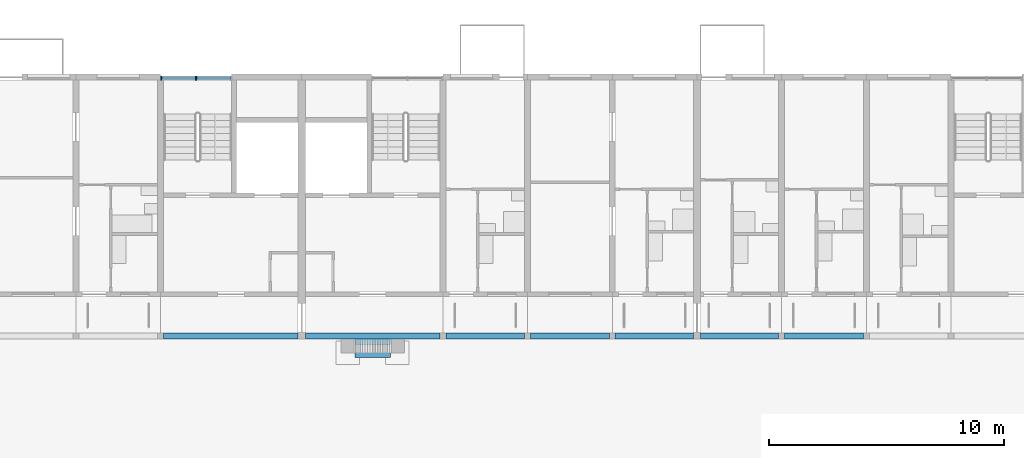
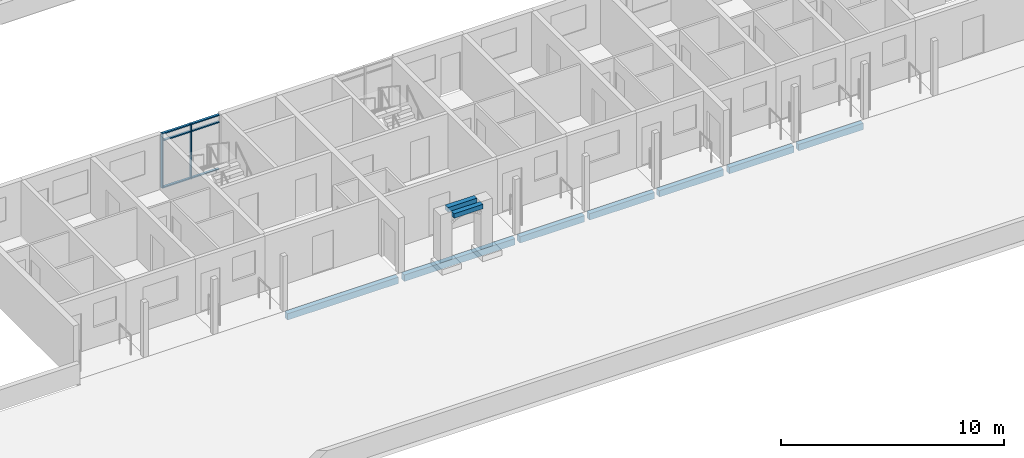
# One storey, part 20 of 115: 9 beams, 8 members, 1 element without a shape of its own.
"""IFC4 building model written with IfcOpenShell, lengths in metres."""

import ifcopenshell
import ifcopenshell.guid

model = None  # the IFC model being written
_history = None  # IfcOwnerHistory: only IFC2X3 demands one
_inside = {}  # id of a spatial element -> (the spatial element, [elements in it])
_under = {}  # id of a project, library or spatial element -> (it, [spatial elements below it])
_declared = {}  # id of a project -> (the project, [libraries it declares])
_typed = {}  # id of a type object -> (the type object, [elements of that type])
_made_of = {}  # id of a material, layer set ... -> (it, [elements and type objects made of it])


def new_model(schema):
    """Start an empty IFC model of exactly this schema.

    Asked for "IFC4X3", IfcOpenShell would pick the latest addendum, in which some entities
    have other attributes; the version numbers below select the first issue.
    IFC2X3 requires an IfcOwnerHistory on every rooted entity: one is made here for all.
    """
    global model, _history
    if schema == "IFC4X3":
        model = ifcopenshell.file(schema_version=(4, 3, 0, 0))
    else:
        model = ifcopenshell.file(schema=schema)
    _inside.clear()
    _under.clear()
    _declared.clear()
    _typed.clear()
    _made_of.clear()
    _history = None
    if model.schema == "IFC2X3":
        org = make("IfcOrganization", Name="unknown")
        user = make(
            "IfcPersonAndOrganization",
            ThePerson=make("IfcPerson", FamilyName="unknown"),
            TheOrganization=org,
        )
        app = make(
            "IfcApplication",
            ApplicationDeveloper=org,
            Version="unknown",
            ApplicationFullName="unknown",
            ApplicationIdentifier="unknown",
        )
        _history = make(
            "IfcOwnerHistory",
            OwningUser=user,
            OwningApplication=app,
            ChangeAction="ADDED",
            CreationDate=0,
        )
    return model


def make(cls, **values):
    """One entity of the class cls with the attributes given. An attribute that is None is left unset."""
    return model.create_entity(
        cls, **{name: value for name, value in values.items() if value is not None}
    )


def rooted(cls, **values):
    """An entity with a GlobalId (a new one), such as an element, a storey or a relation."""
    return make(cls, GlobalId=ifcopenshell.guid.new(), OwnerHistory=_history, **values)


def si_unit(unit_type, name, prefix=None):
    """IfcSIUnit, for example si_unit("LENGTHUNIT", "METRE", prefix="MILLI")."""
    return make("IfcSIUnit", UnitType=unit_type, Prefix=prefix, Name=name)


def assignment(units):
    """IfcUnitAssignment: the units of a project."""
    return None if units is None else make("IfcUnitAssignment", Units=units)


def point(xyz):
    """IfcCartesianPoint."""
    return None if xyz is None else make("IfcCartesianPoint", Coordinates=xyz)


def direction(xyz):
    """IfcDirection."""
    return None if xyz is None else make("IfcDirection", DirectionRatios=xyz)


def frame(location, z_axis=None, x_axis=None):
    """IfcAxis2Placement3D, a coordinate frame: its origin and axes. An axis left out is left unset."""
    return make(
        "IfcAxis2Placement3D",
        Location=point(location),
        Axis=direction(z_axis),
        RefDirection=direction(x_axis),
    )


def frame_2d(location, x_axis=None):
    """IfcAxis2Placement2D, a coordinate frame in the plane: its origin and x axis."""
    return make(
        "IfcAxis2Placement2D", Location=point(location), RefDirection=direction(x_axis)
    )


def origin():
    """The frame at (0, 0, 0) with its axes left unset."""
    return frame((0.0, 0.0, 0.0))


def origin_2d():
    """The frame at (0, 0) in the plane with its x axis left unset."""
    return frame_2d((0.0, 0.0))


def place(relative_to, where):
    """IfcLocalPlacement: puts the frame where relative to a parent placement (None: the world)."""
    return make(
        "IfcLocalPlacement", PlacementRelTo=relative_to, RelativePlacement=where
    )


def context(
    kind, dimensions, precision=None, world=None, true_north=None, identifier=None
):
    """IfcGeometricRepresentationContext, for example the 3D "Model" context."""
    return make(
        "IfcGeometricRepresentationContext",
        ContextIdentifier=identifier,
        ContextType=kind,
        CoordinateSpaceDimension=dimensions,
        Precision=precision,
        WorldCoordinateSystem=world,
        TrueNorth=true_north,
    )


def subcontext(parent, identifier, kind, view, scale=None):
    """IfcGeometricRepresentationSubContext, for example "Body" below "Model"."""
    return make(
        "IfcGeometricRepresentationSubContext",
        ContextIdentifier=identifier,
        ContextType=kind,
        ParentContext=parent,
        TargetScale=scale,
        TargetView=view,
    )


def project(units=None, contexts=None):
    """IfcProject with its units and contexts."""
    return rooted(
        "IfcProject",
        Name="project",
        RepresentationContexts=contexts,
        UnitsInContext=assignment(units),
    )


def spatial(cls, under=None, at=None, **own):
    """A site, building, storey or space (cls), placed at a placement, below another one or the project."""
    s = rooted(cls, ObjectPlacement=at, **own)
    if under is not None:
        _under.setdefault(under.id(), (under, []))[1].append(s)
    return s


def profile(cls, at=None, kind="AREA", **sizes):
    """A parametric profile (cls). Its sizes go by their IFC names, for example OverallWidth=200.0."""
    return make(cls, ProfileType=kind, Position=at, **sizes)


def rectangle(**sizes):
    """IfcRectangleProfileDef."""
    return profile("IfcRectangleProfileDef", **sizes)


def extrude(swept, where, along, depth):
    """IfcExtrudedAreaSolid: the profile swept, set in the frame where, extruded along a direction by depth."""
    return make(
        "IfcExtrudedAreaSolid",
        SweptArea=swept,
        Position=where,
        ExtrudedDirection=direction(along),
        Depth=depth,
    )


def shape(context_of_items, identifier, shape_type, items):
    """IfcShapeRepresentation: the items that make up one representation, for example the "Body"."""
    return make(
        "IfcShapeRepresentation",
        ContextOfItems=context_of_items,
        RepresentationIdentifier=identifier,
        RepresentationType=shape_type,
        Items=items,
    )


def material(Name=None, Category=None):
    """IfcMaterial."""
    return make("IfcMaterial", Name=Name, Category=Category)


def material_profile(
    of_material, cross_section, Name=None, Category=None, Priority=None
):
    """IfcMaterialProfile: a cross section and its material."""
    return make(
        "IfcMaterialProfile",
        Name=Name,
        Material=of_material,
        Profile=cross_section,
        Priority=Priority,
        Category=Category,
    )


def profile_set(profiles, Name=None, composite=None):
    """IfcMaterialProfileSet."""
    return make(
        "IfcMaterialProfileSet",
        Name=Name,
        MaterialProfiles=profiles,
        CompositeProfile=composite,
    )


def made_of(thing, what):
    """Note that an element or type object is made of a material, layer set ...; save() writes the relation."""
    if what is not None:
        _made_of.setdefault(what.id(), (what, []))[1].append(thing)
    return thing


def type_object(cls, material=None, **own):
    """A type object (cls), such as IfcWallType, which elements share."""
    return made_of(rooted(cls, **own), material)


def element(
    cls,
    number,
    at=None,
    inside=None,
    cuts=None,
    type_object=None,
    material=None,
    context=None,
    identifier="Body",
    shape_type=None,
    held_by="IfcProductDefinitionShape",
    body=None,
    shapes=None,
    **own,
):
    """One element of the class cls, such as IfcWall. Its Tag is "e" and its number.

    at: its placement. inside: the storey or other place that contains it. cuts: it is an
    opening in that element (IfcRelVoidsElement). A single representation is given by context,
    identifier, shape_type and body (its items); several are given by shapes. held_by: the class
    of the entity that holds the representations. save() writes the other relations.
    """
    e = rooted(cls, Tag="e%d" % number, ObjectPlacement=at, **own)
    if body is not None:
        shapes = [shape(context, identifier, shape_type, body)]
    if shapes is not None:
        e.Representation = make(held_by, Representations=shapes)
    if inside is not None:
        _inside.setdefault(inside.id(), (inside, []))[1].append(e)
    if cuts is not None:
        rooted(
            "IfcRelVoidsElement", RelatingBuildingElement=cuts, RelatedOpeningElement=e
        )
    if type_object is not None:
        _typed.setdefault(type_object.id(), (type_object, []))[1].append(e)
    return made_of(e, material)


def aggregate(whole, parts):
    """IfcRelAggregates: a whole, such as a stair, and the parts it consists of."""
    return rooted("IfcRelAggregates", RelatingObject=whole, RelatedObjects=parts)


def save(model, path):
    """Write the relations noted so far, then the file.

    IfcRelAggregates (storeys below a building ...), IfcRelContainedInSpatialStructure (elements
    in a storey), IfcRelDefinesByType, IfcRelAssociatesMaterial and IfcRelDeclares: one each for
    every whole, place, type object, material and project.
    """
    for whole, parts in _under.values():
        aggregate(whole, parts)
    for where, things in _inside.values():
        rooted(
            "IfcRelContainedInSpatialStructure",
            RelatedElements=things,
            RelatingStructure=where,
        )
    for kind, things in _typed.values():
        rooted("IfcRelDefinesByType", RelatedObjects=things, RelatingType=kind)
    for what, things in _made_of.values():
        rooted("IfcRelAssociatesMaterial", RelatedObjects=things, RelatingMaterial=what)
    for by, libraries in _declared.values():
        rooted("IfcRelDeclares", RelatingContext=by, RelatedDefinitions=libraries)
    model.write(path)


model = new_model("IFC4")

# Units and contexts
model_context = context("Model", 3, precision=1e-05, world=origin(), true_north=direction((0.0, 1.0)))
body_context = subcontext(model_context, "Body", "Model", "MODEL_VIEW")
ifc_project = project(units=[si_unit("LENGTHUNIT", "METRE"), si_unit("AREAUNIT", "SQUARE_METRE"), si_unit("VOLUMEUNIT", "CUBIC_METRE"), si_unit("PLANEANGLEUNIT", "RADIAN"), si_unit("MASSUNIT", "GRAM", prefix="KILO")], contexts=[model_context])

# Site, building, storey
site_placement = place(None, origin())
site = spatial("IfcSite", under=ifc_project, at=site_placement, CompositionType="ELEMENT")
building_placement = place(site_placement, origin())
building = spatial("IfcBuilding", under=site, at=building_placement, Name="Ridgestep Commons", CompositionType="ELEMENT")
storey_placement = place(building_placement, frame((0.0, 0.0, 6.0)))
storey = spatial("IfcBuildingStorey", under=building, at=storey_placement, Name="L02", CompositionType="ELEMENT", Elevation=6.0)

# Beams
ifc_material_1 = material(Name="Precast concrete C40/50", Category="concrete")
ifc_material_profile_1 = material_profile(ifc_material_1, rectangle(XDim=0.25, YDim=0.35009765625, at=origin_2d()), Name="PC 250x350")
ifc_profile_set_1 = profile_set([ifc_material_profile_1], Name="Precast concrete C40/50")
beam_type_1 = type_object("IfcBeamType", Name="Loggia edge beam 250 x 350", PredefinedType="SPANDREL", material=ifc_profile_set_1)
beam_1_placement = place(storey_placement, frame((157.72509765625, 11.875, -0.375), z_axis=(1.0, 0.0, 0.0), x_axis=(0.0, 1.0, 0.0)))
element("IfcBeam", 1, at=beam_1_placement, inside=storey, type_object=beam_type_1, Name="Loggia edge beam D1C L02", PredefinedType="SPANDREL", context=body_context, shape_type="SweptSolid", body=[
    extrude(rectangle(XDim=0.25, YDim=0.35009765625, at=origin_2d()), origin(), (0.0, 0.0, 1.0), 5.724853515625),
])
beam_2_placement = place(storey_placement, frame((163.75, 11.875, -0.375), z_axis=(1.0, 0.0, 0.0), x_axis=(0.0, 1.0, 0.0)))
element("IfcBeam", 2, at=beam_2_placement, inside=storey, type_object=beam_type_1, Name="Loggia edge beam D2C L02", PredefinedType="SPANDREL", context=body_context, shape_type="SweptSolid", body=[
    extrude(rectangle(XDim=0.25, YDim=0.35009765625, at=origin_2d()), origin(), (0.0, 0.0, 1.0), 5.72509765625),
])
beam_3_placement = place(storey_placement, frame((169.72509765625, 11.875, -0.375), z_axis=(1.0, 0.0, 0.0), x_axis=(0.0, 1.0, 0.0)))
element("IfcBeam", 3, at=beam_3_placement, inside=storey, type_object=beam_type_1, Name="Loggia edge beam D2T3 L02", PredefinedType="SPANDREL", context=body_context, shape_type="SweptSolid", body=[
    extrude(rectangle(XDim=0.25, YDim=0.35009765625, at=origin_2d()), origin(), (0.0, 0.0, 1.0), 3.349853515625),
])
beam_4_placement = place(storey_placement, frame((173.324951171875, 11.875, -0.375), z_axis=(1.0, 0.0, 0.0), x_axis=(0.0, 1.0, 0.0)))
element("IfcBeam", 4, at=beam_4_placement, inside=storey, type_object=beam_type_1, Name="Loggia edge beam D2T2 L02", PredefinedType="SPANDREL", context=body_context, shape_type="SweptSolid", body=[
    extrude(rectangle(XDim=0.25, YDim=0.35009765625, at=origin_2d()), origin(), (0.0, 0.0, 1.0), 3.35009765625),
])
for number, where, z_axis, x_axis, name in (
    (5, (176.925048828125, 11.875, -0.375), (1.0, 0.0, 0.0), (0.0, 1.0, 0.0), "Loggia edge beam D2T1 L02"),
    (6, (180.550048828125, 11.875, -0.375), (1.0, 0.0, 0.0), (0.0, 1.0, 0.0), "Loggia edge beam D3T1 L02"),
):
    element("IfcBeam", number, at=place(storey_placement, frame(where, z_axis=z_axis, x_axis=x_axis)), inside=storey, type_object=beam_type_1, Name=name, PredefinedType="SPANDREL", context=body_context, shape_type="SweptSolid", body=[
        extrude(rectangle(XDim=0.25, YDim=0.35009765625, at=origin_2d()), origin(), (0.0, 0.0, 1.0), 3.324951171875),
    ])
beam_5_placement = place(storey_placement, frame((184.125, 11.875, -0.375), z_axis=(1.0, 0.0, 0.0), x_axis=(0.0, 1.0, 0.0)))
element("IfcBeam", 7, at=beam_5_placement, inside=storey, type_object=beam_type_1, Name="Loggia edge beam D3T2 L02", PredefinedType="SPANDREL", context=body_context, shape_type="SweptSolid", body=[
    extrude(rectangle(XDim=0.25, YDim=0.35009765625, at=origin_2d()), origin(), (0.0, 0.0, 1.0), 3.35009765625),
])

# Curtain wall, members
ifc_material_2 = material(Name="Aluminium 6063-T6 and glass", Category="aluminium")
curtain_wall_type = type_object("IfcCurtainWallType", Name="Curtain wall stair strip", PredefinedType="NOTDEFINED", material=ifc_material_2)
curtain_wall_placement = place(storey_placement, origin())
curtain_wall = element("IfcCurtainWall", 8, at=curtain_wall_placement, inside=storey, type_object=curtain_wall_type, Name="Curtain wall D1C level 02", PredefinedType="NOTDEFINED")
ifc_material_3 = material(Name="Aluminium 6063-T6", Category="aluminium")
ifc_material_profile_2 = material_profile(ifc_material_3, rectangle(XDim=0.159912109375, YDim=0.06005859375, at=origin_2d()), Name="Mullion 60 x 160")
ifc_profile_set_2 = profile_set([ifc_material_profile_2], Name="Aluminium 6063-T6")
member_type_1 = type_object("IfcMemberType", Name="Mullion 60 x 160", PredefinedType="MULLION", material=ifc_profile_set_2)
member_1_placement = place(storey_placement, frame((157.6298828125, 22.830078125, 0.0), z_axis=(0.0, 0.0, 1.0), x_axis=(0.0, 1.0, 0.0)))
member_1 = element("IfcMember", 9, at=member_1_placement, type_object=member_type_1, Name="CW1 mullion 1", PredefinedType="MULLION", context=body_context, shape_type="SweptSolid", body=[
    extrude(rectangle(XDim=0.159912109375, YDim=0.06005859375, at=origin_2d()), origin(), (0.0, 0.0, 1.0), 3.0),
])
member_2_placement = place(storey_placement, frame((159.112548828125, 22.830078125, 0.0), z_axis=(0.0, 0.0, 1.0), x_axis=(0.0, 1.0, 0.0)))
member_2 = element("IfcMember", 10, at=member_2_placement, type_object=member_type_1, Name="CW1 mullion 2", PredefinedType="MULLION", context=body_context, shape_type="SweptSolid", body=[
    extrude(rectangle(XDim=0.159912109375, YDim=0.06005859375, at=origin_2d()), origin(), (0.0, 0.0, 1.0), 3.0),
])

# Beams
ifc_material_4 = material(Name="Precast concrete C40/50", Category="concrete")
ifc_material_profile_3 = material_profile(ifc_material_4, rectangle(XDim=0.25, YDim=0.25, at=origin_2d()), Name="Portal lintel 250 x 250")
ifc_profile_set_3 = profile_set([ifc_material_profile_3], Name="Precast concrete C40/50")
beam_type_2 = type_object("IfcBeamType", Name="Portal lintel 250 x 250", PredefinedType="BEAM", material=ifc_profile_set_3)
for number, where, z_axis, x_axis, name in (
    (11, (165.862548828125, 11.074951171875, 2.77490234375), (1.0, 0.0, 0.0), (0.0, 1.0, 0.0), "Portal lintel D1"),
    (12, (165.862548828125, 11.625, 2.77490234375), (1.0, 0.0, 0.0), (0.0, 1.0, 0.0), "Portal lintel D2"),
):
    element("IfcBeam", number, at=place(storey_placement, frame(where, z_axis=z_axis, x_axis=x_axis)), inside=storey, type_object=beam_type_2, Name=name, PredefinedType="BEAM", context=body_context, shape_type="SweptSolid", body=[
        extrude(rectangle(XDim=0.25, YDim=0.25, at=origin_2d()), origin(), (0.0, 0.0, 1.0), 1.5),
    ])

# Member
ifc_material_5 = material(Name="Aluminium 6063-T6", Category="aluminium")
ifc_material_profile_4 = material_profile(ifc_material_5, rectangle(XDim=0.1201171875, YDim=0.06005859375, at=origin_2d()), Name="Transom 60 x 120")
ifc_profile_set_4 = profile_set([ifc_material_profile_4], Name="Aluminium 6063-T6")
member_type_2 = type_object("IfcMemberType", Name="Transom 60 x 120", PredefinedType="USERDEFINED", material=ifc_profile_set_4)
member_3_placement = place(storey_placement, frame((157.659912109375, 22.830078125, 0.030029296875), z_axis=(1.0, 0.0, 0.0), x_axis=(0.0, 1.0, 0.0)))
member_3 = element("IfcMember", 13, at=member_3_placement, type_object=member_type_2, Name="CW1 transom 1.1", ObjectType="TRANSOM", PredefinedType="USERDEFINED", context=body_context, shape_type="SweptSolid", body=[
    extrude(rectangle(XDim=0.1201171875, YDim=0.06005859375, at=origin_2d()), origin(), (0.0, 0.0, 1.0), 1.422607421875),
])

member_4_placement = place(storey_placement, frame((157.659912109375, 22.830078125, 2.590087890625), z_axis=(1.0, 0.0, 0.0), x_axis=(0.0, 1.0, 0.0)))
member_4 = element("IfcMember", 14, at=member_4_placement, type_object=member_type_2, Name="CW1 transom 1.2", ObjectType="TRANSOM", PredefinedType="USERDEFINED", context=body_context, shape_type="SweptSolid", body=[
    extrude(rectangle(XDim=0.1201171875, YDim=0.06005859375, at=origin_2d()), origin(), (0.0, 0.0, 1.0), 1.422607421875),
])

member_5_placement = place(storey_placement, frame((157.659912109375, 22.830078125, 2.969970703125), z_axis=(1.0, 0.0, 0.0), x_axis=(0.0, 1.0, 0.0)))
member_5 = element("IfcMember", 15, at=member_5_placement, type_object=member_type_2, Name="CW1 transom 1.3", ObjectType="TRANSOM", PredefinedType="USERDEFINED", context=body_context, shape_type="SweptSolid", body=[
    extrude(rectangle(XDim=0.1201171875, YDim=0.06005859375, at=origin_2d()), origin(), (0.0, 0.0, 1.0), 1.422607421875),
])

member_6_placement = place(storey_placement, frame((159.142578125, 22.830078125, 0.030029296875), z_axis=(1.0, 0.0, 0.0), x_axis=(0.0, 1.0, 0.0)))
member_6 = element("IfcMember", 16, at=member_6_placement, type_object=member_type_2, Name="CW1 transom 2.1", ObjectType="TRANSOM", PredefinedType="USERDEFINED", context=body_context, shape_type="SweptSolid", body=[
    extrude(rectangle(XDim=0.1201171875, YDim=0.06005859375, at=origin_2d()), origin(), (0.0, 0.0, 1.0), 1.42236328125),
])

member_7_placement = place(storey_placement, frame((159.142578125, 22.830078125, 2.590087890625), z_axis=(1.0, 0.0, 0.0), x_axis=(0.0, 1.0, 0.0)))
member_7 = element("IfcMember", 17, at=member_7_placement, type_object=member_type_2, Name="CW1 transom 2.2", ObjectType="TRANSOM", PredefinedType="USERDEFINED", context=body_context, shape_type="SweptSolid", body=[
    extrude(rectangle(XDim=0.1201171875, YDim=0.06005859375, at=origin_2d()), origin(), (0.0, 0.0, 1.0), 1.42236328125),
])

member_8_placement = place(storey_placement, frame((159.142578125, 22.830078125, 2.969970703125), z_axis=(1.0, 0.0, 0.0), x_axis=(0.0, 1.0, 0.0)))
member_8 = element("IfcMember", 18, at=member_8_placement, type_object=member_type_2, Name="CW1 transom 2.3", ObjectType="TRANSOM", PredefinedType="USERDEFINED", context=body_context, shape_type="SweptSolid", body=[
    extrude(rectangle(XDim=0.1201171875, YDim=0.06005859375, at=origin_2d()), origin(), (0.0, 0.0, 1.0), 1.42236328125),
])

aggregate(curtain_wall, [member_1, member_2, member_3, member_4, member_5, member_6, member_7, member_8])

save(model, "model.ifc")
